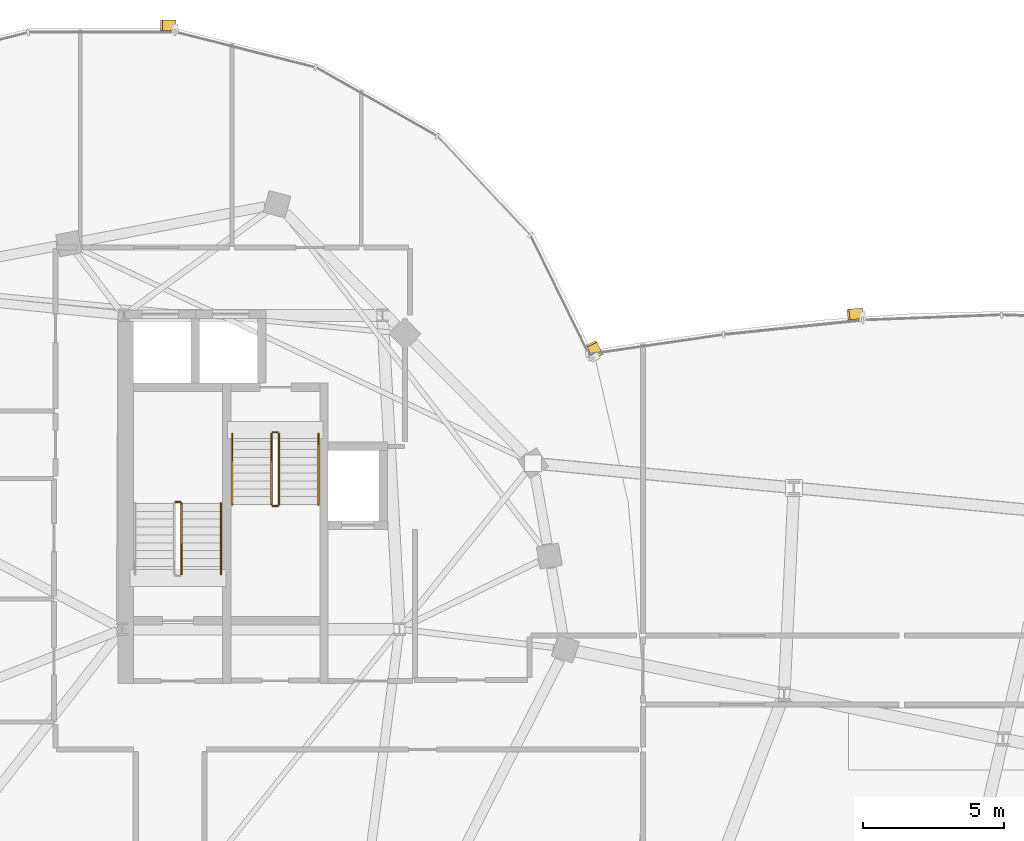
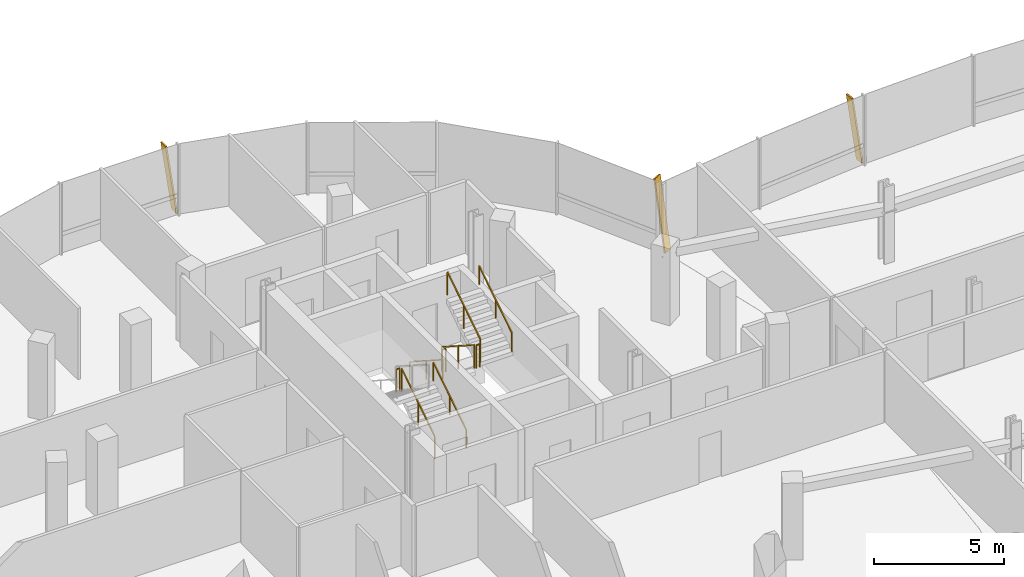
# One storey, part 23 of 25: 9 railings, 3 shading devices.
"""IFC4 building model written with IfcOpenShell, lengths in metres."""

from ifc_helpers import new_model, si_unit, direction, frame, origin, origin_2d, place, context, subcontext, project, spatial, rectangle, extrude, material, material_profile, profile_set, type_object, element, save


model = new_model("IFC4")

# Units and contexts
model_context = context("Model", 3, precision=1e-05, world=origin(), true_north=direction((0.0, 1.0)))
body_context = subcontext(model_context, "Body", "Model", "MODEL_VIEW")
ifc_project = project(units=[si_unit("LENGTHUNIT", "METRE"), si_unit("AREAUNIT", "SQUARE_METRE"), si_unit("VOLUMEUNIT", "CUBIC_METRE"), si_unit("PLANEANGLEUNIT", "RADIAN"), si_unit("MASSUNIT", "GRAM", prefix="KILO"), si_unit("THERMODYNAMICTEMPERATUREUNIT", "KELVIN"), si_unit("POWERUNIT", "WATT")], contexts=[model_context])

# Site, building, storey
site_placement = place(None, origin())
site = spatial("IfcSite", under=ifc_project, at=site_placement, CompositionType="ELEMENT")
building_placement = place(site_placement, origin())
building = spatial("IfcBuilding", under=site, at=building_placement, Name="Cundina Bronze Exchange", CompositionType="ELEMENT")
storey_placement = place(building_placement, frame((0.0, 0.0, 239.60009765625)))
storey = spatial("IfcBuildingStorey", under=building, at=storey_placement, Name="L63", CompositionType="ELEMENT", Elevation=239.60009765625)

# Railings
ifc_material_1 = material(Name="Steel ASTM A36 Painted", Category="steel")
railing_type_1 = type_object("IfcRailingType", Name="RLG-HND-900", PredefinedType="HANDRAIL", material=ifc_material_1)
railing_1_placement = place(storey_placement, frame((-27.7900390625, 5.85009765625, 0.179931640625)))
element("IfcRailing", 1, at=railing_1_placement, inside=storey, type_object=railing_type_1, Name="L63 ST-W1 stair handrail 1", PredefinedType="HANDRAIL", context=body_context, shape_type="SweptSolid", body=[
    extrude(rectangle(XDim=0.048095703125, YDim=0.048095703125, at=origin_2d()), frame((0.0, 0.0, 0.8759765625), z_axis=(0.0, 0.841199657755, 0.540724639528), x_axis=(-1.0, 0.0, 0.0)), (0.0, 0.0, 1.0), 2.995849609375),
    extrude(rectangle(XDim=0.0419921875, YDim=0.0419921875, at=origin_2d()), origin(), (0.0, 0.0, 1.0), 0.851806640625),
    extrude(rectangle(XDim=0.0419921875, YDim=0.0419921875, at=origin_2d()), frame((0.0, 1.260009765625, 0.81005859375)), (0.0, 0.0, 1.0), 0.851806640625),
    extrude(rectangle(XDim=0.0419921875, YDim=0.0419921875, at=origin_2d()), frame((0.0, 2.52001953125, 1.619873046875)), (0.0, 0.0, 1.0), 0.851806640625),
])
railing_2_placement = place(storey_placement, frame((-27.389892578125, 10.85009765625, 0.179931640625)))
element("IfcRailing", 2, at=railing_2_placement, inside=storey, type_object=railing_type_1, Name="L63 ST-W2 stair handrail 1", PredefinedType="HANDRAIL", context=body_context, shape_type="SweptSolid", body=[
    extrude(rectangle(XDim=0.048095703125, YDim=0.048095703125, at=origin_2d()), frame((0.0, 0.0, 0.8759765625), z_axis=(0.0, -0.841199657755, 0.540724639528), x_axis=(1.0, 0.0, 0.0)), (0.0, 0.0, 1.0), 2.995849609375),
    extrude(rectangle(XDim=0.0419921875, YDim=0.0419921875, at=origin_2d()), origin(), (0.0, 0.0, 1.0), 0.851806640625),
    extrude(rectangle(XDim=0.0419921875, YDim=0.0419921875, at=origin_2d()), frame((0.0, -1.260009765625, 0.81005859375)), (0.0, 0.0, 1.0), 0.851806640625),
    extrude(rectangle(XDim=0.0419921875, YDim=0.0419921875, at=origin_2d()), frame((0.0, -2.52001953125, 1.619873046875)), (0.0, 0.0, 1.0), 0.851806640625),
])
railing_3_placement = place(storey_placement, frame((-24.330078125, 8.330078125, 1.97998046875)))
element("IfcRailing", 3, at=railing_3_placement, inside=storey, type_object=railing_type_1, Name="L63 ST-W2 stair handrail 2", PredefinedType="HANDRAIL", context=body_context, shape_type="SweptSolid", body=[
    extrude(rectangle(XDim=0.048095703125, YDim=0.048095703125, at=origin_2d()), frame((0.0, 0.0, 0.8759765625), z_axis=(0.0, 0.841199657755, 0.540724639528), x_axis=(-1.0, 0.0, 0.0)), (0.0, 0.0, 1.0), 2.995849609375),
    extrude(rectangle(XDim=0.0419921875, YDim=0.0419921875, at=origin_2d()), origin(), (0.0, 0.0, 1.0), 0.851806640625),
    extrude(rectangle(XDim=0.0419921875, YDim=0.0419921875, at=origin_2d()), frame((0.0, 1.260009765625, 0.81005859375)), (0.0, 0.0, 1.0), 0.851806640625),
    extrude(rectangle(XDim=0.0419921875, YDim=0.0419921875, at=origin_2d()), frame((0.0, 2.52001953125, 1.619873046875)), (0.0, 0.0, 1.0), 0.851806640625),
])
railing_type_2 = type_object("IfcRailingType", Name="RLG-STG-1100", PredefinedType="GUARDRAIL", material=ifc_material_1)
railing_4_placement = place(storey_placement, frame((-29.18994140625, 5.85009765625, 0.179931640625)))
element("IfcRailing", 4, at=railing_4_placement, inside=storey, type_object=railing_type_2, Name="L63 ST-W1 stair guard 1", PredefinedType="GUARDRAIL", context=body_context, shape_type="SweptSolid", body=[
    extrude(rectangle(XDim=0.048095703125, YDim=0.048095703125, at=origin_2d()), frame((0.0, 0.0, 1.076171875), z_axis=(0.0, 0.841199657755, 0.540724639528), x_axis=(-1.0, 0.0, 0.0)), (0.0, 0.0, 1.0), 2.995849609375),
    extrude(rectangle(XDim=0.0419921875, YDim=0.0419921875, at=origin_2d()), origin(), (0.0, 0.0, 1.0), 1.052001953125),
    extrude(rectangle(XDim=0.0419921875, YDim=0.0419921875, at=origin_2d()), frame((0.0, 1.260009765625, 0.81005859375)), (0.0, 0.0, 1.0), 1.052001953125),
    extrude(rectangle(XDim=0.0419921875, YDim=0.0419921875, at=origin_2d()), frame((0.0, 2.52001953125, 1.619873046875)), (0.0, 0.0, 1.0), 1.052001953125),
])
railing_5_placement = place(storey_placement, frame((-29.239990234375, 8.419921875, 1.7998046875)))
element("IfcRailing", 5, at=railing_5_placement, inside=storey, type_object=railing_type_2, Name="L63 ST-W1 stair guard 2", PredefinedType="GUARDRAIL", context=body_context, shape_type="SweptSolid", body=[
    extrude(rectangle(XDim=0.048095703125, YDim=0.048095703125, at=origin_2d()), frame((0.0, 0.0, 1.076171875), z_axis=(-1.0, 0.0, 0.0), x_axis=(0.0, -1.0, 0.0)), (0.0, 0.0, 1.0), 0.159912109375),
    extrude(rectangle(XDim=0.0419921875, YDim=0.0419921875, at=origin_2d()), origin(), (0.0, 0.0, 1.0), 1.052001953125),
    extrude(rectangle(XDim=0.0419921875, YDim=0.0419921875, at=origin_2d()), frame((-0.159912109375, 0.0, 0.0)), (0.0, 0.0, 1.0), 1.052001953125),
])
railing_6_placement = place(storey_placement, frame((-25.989990234375, 10.85009765625, 0.179931640625)))
element("IfcRailing", 6, at=railing_6_placement, inside=storey, type_object=railing_type_2, Name="L63 ST-W2 stair guard 1", PredefinedType="GUARDRAIL", context=body_context, shape_type="SweptSolid", body=[
    extrude(rectangle(XDim=0.048095703125, YDim=0.048095703125, at=origin_2d()), frame((0.0, 0.0, 1.076171875), z_axis=(0.0, -0.841199657755, 0.540724639528), x_axis=(1.0, 0.0, 0.0)), (0.0, 0.0, 1.0), 2.995849609375),
    extrude(rectangle(XDim=0.0419921875, YDim=0.0419921875, at=origin_2d()), origin(), (0.0, 0.0, 1.0), 1.052001953125),
    extrude(rectangle(XDim=0.0419921875, YDim=0.0419921875, at=origin_2d()), frame((0.0, -1.260009765625, 0.81005859375)), (0.0, 0.0, 1.0), 1.052001953125),
    extrude(rectangle(XDim=0.0419921875, YDim=0.0419921875, at=origin_2d()), frame((0.0, -2.52001953125, 1.619873046875)), (0.0, 0.0, 1.0), 1.052001953125),
])
railing_7_placement = place(storey_placement, frame((-25.93994140625, 8.280029296875, 1.7998046875)))
element("IfcRailing", 7, at=railing_7_placement, inside=storey, type_object=railing_type_2, Name="L63 ST-W2 stair guard 2", PredefinedType="GUARDRAIL", context=body_context, shape_type="SweptSolid", body=[
    extrude(rectangle(XDim=0.048095703125, YDim=0.048095703125, at=origin_2d()), frame((0.0, 0.0, 1.076171875), z_axis=(1.0, 0.0, 0.0), x_axis=(0.0, 1.0, 0.0)), (0.0, 0.0, 1.0), 0.159912109375),
    extrude(rectangle(XDim=0.0419921875, YDim=0.0419921875, at=origin_2d()), origin(), (0.0, 0.0, 1.0), 1.052001953125),
    extrude(rectangle(XDim=0.0419921875, YDim=0.0419921875, at=origin_2d()), frame((0.159912109375, 0.0, 0.0)), (0.0, 0.0, 1.0), 1.052001953125),
])
railing_8_placement = place(storey_placement, frame((-25.72998046875, 8.330078125, 1.97998046875)))
element("IfcRailing", 8, at=railing_8_placement, inside=storey, type_object=railing_type_2, Name="L63 ST-W2 stair guard 3", PredefinedType="GUARDRAIL", context=body_context, shape_type="SweptSolid", body=[
    extrude(rectangle(XDim=0.048095703125, YDim=0.048095703125, at=origin_2d()), frame((0.0, 0.0, 1.076171875), z_axis=(0.0, 0.841199657755, 0.540724639528), x_axis=(-1.0, 0.0, 0.0)), (0.0, 0.0, 1.0), 2.995849609375),
    extrude(rectangle(XDim=0.0419921875, YDim=0.0419921875, at=origin_2d()), origin(), (0.0, 0.0, 1.0), 1.052001953125),
    extrude(rectangle(XDim=0.0419921875, YDim=0.0419921875, at=origin_2d()), frame((0.0, 1.260009765625, 0.81005859375)), (0.0, 0.0, 1.0), 1.052001953125),
    extrude(rectangle(XDim=0.0419921875, YDim=0.0419921875, at=origin_2d()), frame((0.0, 2.52001953125, 1.619873046875)), (0.0, 0.0, 1.0), 1.052001953125),
])
railing_9_placement = place(storey_placement, frame((-25.93994140625, 10.89990234375, 0.0)))
element("IfcRailing", 9, at=railing_9_placement, inside=storey, type_object=railing_type_2, Name="L63 ST-W2 stair guard 4", PredefinedType="GUARDRAIL", context=body_context, shape_type="SweptSolid", body=[
    extrude(rectangle(XDim=0.048095703125, YDim=0.048095703125, at=origin_2d()), frame((0.0, 0.0, 1.076171875), z_axis=(1.0, 0.0, 0.0), x_axis=(0.0, 1.0, 0.0)), (0.0, 0.0, 1.0), 0.159912109375),
    extrude(rectangle(XDim=0.0419921875, YDim=0.0419921875, at=origin_2d()), origin(), (0.0, 0.0, 1.0), 1.052001953125),
    extrude(rectangle(XDim=0.0419921875, YDim=0.0419921875, at=origin_2d()), frame((0.159912109375, 0.0, 0.0)), (0.0, 0.0, 1.0), 1.052001953125),
])

# Shading devices
ifc_material_2 = material(Name="Anodised Bronze Aluminium 6063-T6", Category="aluminium")
ifc_material_profile = material_profile(ifc_material_2, rectangle(XDim=0.070068359375, YDim=0.3798828125, at=origin_2d()), Name="FIN70X380", Category="aluminium")
ifc_profile_set = profile_set([ifc_material_profile], Name="Anodised Bronze Aluminium 6063-T6")
shading_device_type = type_object("IfcShadingDeviceType", Name="SHD-FIN-BRZ380", PredefinedType="USERDEFINED", material=ifc_profile_set)
for number, where, z_axis, x_axis, name in (
    (10, (-14.406494140625, 13.614013671875, 0.02001953125), (-0.06340496231, 0.129226049049, 0.989585993738), (0.435899643486, -0.888409781469, 0.143942908816), "L63 Diagonal Bronze Solar Fin 1"),
    (11, (-29.423583984375, 25.360107421875, 0.02001953125), (-0.143942452949, 0.0, 0.989586060047), (0.989586060047, 0.0, 0.143942452949), "L63 Diagonal Bronze Solar Fin 5"),
):
    element("IfcShadingDevice", number, at=place(storey_placement, frame(where, z_axis=z_axis, x_axis=x_axis)), inside=storey, type_object=shading_device_type, Name=name, ObjectType="FIN", PredefinedType="USERDEFINED", context=body_context, shape_type="SweptSolid", body=[
        extrude(rectangle(XDim=0.070068359375, YDim=0.3798828125, at=origin_2d()), origin(), (0.0, 0.0, 1.0), 3.33447265625),
    ])
shading_device_placement = place(storey_placement, frame((-5.0146484375, 15.12890625, 0.02001953125), z_axis=(-0.145724273631, -0.015056932621, 0.989210657471), x_axis=(0.983972150742, 0.101668733734, 0.14650008582)))
element("IfcShadingDevice", 12, at=shading_device_placement, inside=storey, type_object=shading_device_type, Name="L63 Diagonal Bronze Solar Fin 5", ObjectType="FIN", PredefinedType="USERDEFINED", context=body_context, shape_type="SweptSolid", body=[
    extrude(rectangle(XDim=0.070068359375, YDim=0.3798828125, at=origin_2d()), origin(), (0.0, 0.0, 1.0), 3.275390625),
])

save(model, "model.ifc")
